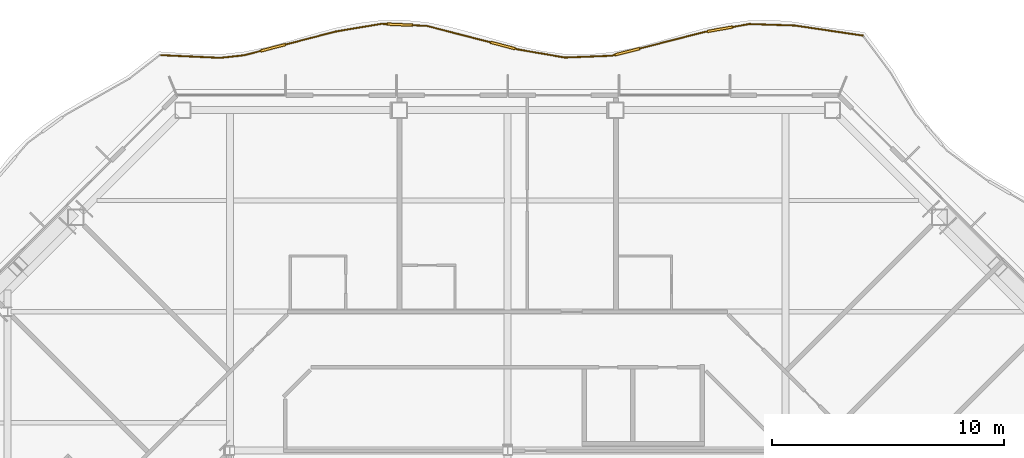
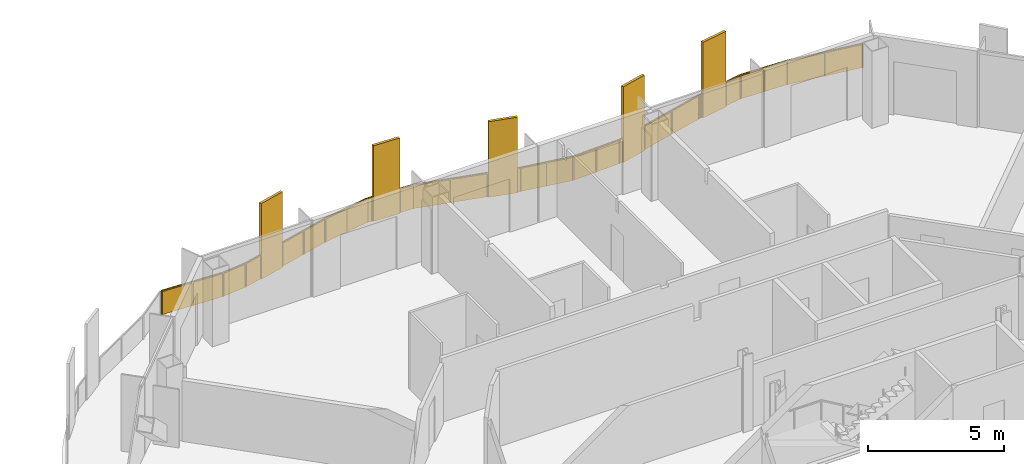
# One storey, part 21 of 22: 1 railing.
"""IFC4 building model written with IfcOpenShell, lengths in metres."""

from ifc_helpers import new_model, si_unit, direction, frame, origin, origin_2d, place, context, subcontext, project, spatial, polyline, rectangle, outline, extrude, material, type_object, element, save


model = new_model("IFC4")

# Units and contexts
model_context = context("Model", 3, precision=1e-05, world=origin(), true_north=direction((0.0, 1.0)))
body_context = subcontext(model_context, "Body", "Model", "MODEL_VIEW")
ifc_project = project(units=[si_unit("LENGTHUNIT", "METRE"), si_unit("AREAUNIT", "SQUARE_METRE"), si_unit("VOLUMEUNIT", "CUBIC_METRE"), si_unit("PLANEANGLEUNIT", "RADIAN"), si_unit("MASSUNIT", "GRAM", prefix="KILO")], contexts=[model_context])

# Site, building, storey
site_placement = place(None, origin())
site = spatial("IfcSite", under=ifc_project, at=site_placement, CompositionType="ELEMENT")
building_placement = place(site_placement, origin())
building = spatial("IfcBuilding", under=site, at=building_placement, Name="Cairn Pilgrim Tower", CompositionType="ELEMENT")
storey_placement = place(building_placement, frame((0.0, 0.0, 147.0)))
storey = spatial("IfcBuildingStorey", under=building, at=storey_placement, Name="L36", CompositionType="ELEMENT", Elevation=147.0)

# Railing
ifc_material = material(Name="Bronze anodised aluminium rail, posts and fin screens with laminated glass infill", Category="aluminium")
railing_type = type_object("IfcRailingType", Name="BALCONY GUARD WITH FIN SCREENS", PredefinedType="GUARDRAIL", material=ifc_material)
railing_placement = place(storey_placement, frame((22.53662109375, 31.12255859375, 0.0)))
element("IfcRailing", 1, at=railing_placement, inside=storey, type_object=railing_type, Name="Balcony guard BGF-5 with fin screens", PredefinedType="GUARDRAIL", context=body_context, shape_type="SweptSolid", body=[
    extrude(rectangle(XDim=0.050048828125, YDim=0.050048828125, at=origin_2d()), frame((0.0, 0.0, 1.0751953125), z_axis=(-0.989236558424, 0.146325088338, 0.0), x_axis=(-0.146325088338, -0.989236558424, 0.0)), (0.0, 0.0, 1.0), 2.96826171875),
    extrude(rectangle(XDim=0.050048828125, YDim=0.050048828125, at=origin_2d()), frame((-2.936279296875, 0.434326171875, 1.0751953125), z_axis=(-0.999460804031, 0.032834451501, 0.0), x_axis=(-0.032834451501, -0.999460804031, 0.0)), (0.0, 0.0, 1.0), 1.962890625),
    extrude(rectangle(XDim=1.10009765625, YDim=0.110107421875, at=origin_2d()), frame((-6.17431640625, 0.272705078125, 0.0), z_axis=(0.0, 0.0, 1.0), x_axis=(-0.984649045158, -0.174545861794, 0.0)), (0.0, 0.0, 1.0), 3.39990234375),
    extrude(rectangle(XDim=0.050048828125, YDim=0.050048828125, at=origin_2d()), frame((-4.898193359375, 0.498779296875, 1.0751953125), z_axis=(-0.984649045158, -0.174545861794, 0.0), x_axis=(0.174545861794, -0.984649045158, 0.0)), (0.0, 0.0, 1.0), 0.745849609375),
    extrude(rectangle(XDim=0.050048828125, YDim=0.050048828125, at=origin_2d()), frame((-6.7158203125, 0.176513671875, 1.0751953125), z_axis=(-0.984649045158, -0.174545861794, 0.0), x_axis=(0.174545861794, -0.984649045158, 0.0)), (0.0, 0.0, 1.0), 0.150146484375),
    extrude(rectangle(XDim=1.10009765625, YDim=0.110107421875, at=origin_2d()), frame((-10.167724609375, -0.696533203125, 0.0), z_axis=(0.0, 0.0, 1.0), x_axis=(-0.968686209303, -0.248288195261, 0.0)), (0.0, 0.0, 1.0), 3.39990234375),
    extrude(rectangle(XDim=0.050048828125, YDim=0.050048828125, at=origin_2d()), frame((-6.863525390625, 0.150390625, 1.0751953125), z_axis=(-0.968686209303, -0.248288195261, 0.0), x_axis=(0.248288195261, -0.968686209303, 0.0)), (0.0, 0.0, 1.0), 2.861083984375),
    extrude(rectangle(XDim=0.050048828125, YDim=0.050048828125, at=origin_2d()), frame((-10.700439453125, -0.8330078125, 1.0751953125), z_axis=(-0.968686209303, -0.248288195261, 0.0), x_axis=(0.248288195261, -0.968686209303, 0.0)), (0.0, 0.0, 1.0), 0.150146484375),
    extrude(rectangle(XDim=0.050048828125, YDim=0.050048828125, at=origin_2d()), frame((-10.845947265625, -0.870361328125, 1.0751953125), z_axis=(-0.999241942789, -0.038929934129, 0.0), x_axis=(0.038929934129, -0.999241942789, 0.0)), (0.0, 0.0, 1.0), 2.019287109375),
    extrude(rectangle(XDim=0.050048828125, YDim=0.050048828125, at=origin_2d()), frame((-12.86376953125, -0.948974609375, 1.0751953125), z_axis=(-0.985478789925, 0.169798570686, 0.0), x_axis=(-0.169798570686, -0.985478789925, 0.0)), (0.0, 0.0, 1.0), 2.037353515625),
    extrude(rectangle(XDim=1.10009765625, YDim=0.110107421875, at=origin_2d()), frame((-15.54931640625, -0.42822265625, 0.0), z_axis=(0.0, 0.0, 1.0), x_axis=(-0.968351774539, 0.249589344217, 0.0)), (0.0, 0.0, 1.0), 3.39990234375),
    extrude(rectangle(XDim=0.050048828125, YDim=0.050048828125, at=origin_2d()), frame((-14.87158203125, -0.60302734375, 1.0751953125), z_axis=(-0.968351774539, 0.249589344217, 0.0), x_axis=(-0.249589344217, -0.968351774539, 0.0)), (0.0, 0.0, 1.0), 0.14990234375),
    extrude(rectangle(XDim=0.050048828125, YDim=0.050048828125, at=origin_2d()), frame((-16.08203125, -0.291015625, 1.0751953125), z_axis=(-0.968351774539, 0.249589344217, 0.0), x_axis=(-0.249589344217, -0.968351774539, 0.0)), (0.0, 0.0, 1.0), 2.8427734375),
    extrude(rectangle(XDim=1.10009765625, YDim=0.110107421875, at=origin_2d()), frame((-19.999267578125, 0.47119140625, 0.0), z_axis=(0.0, 0.0, 1.0), x_axis=(-0.998979572056, 0.045164306867, 0.0)), (0.0, 0.0, 1.0), 3.39990234375),
    extrude(rectangle(XDim=0.050048828125, YDim=0.050048828125, at=origin_2d()), frame((-18.834716796875, 0.41845703125, 1.0751953125), z_axis=(-0.998979572056, 0.045164306867, 0.0), x_axis=(-0.045164306867, -0.998979572056, 0.0)), (0.0, 0.0, 1.0), 0.61572265625),
    extrude(rectangle(XDim=0.050048828125, YDim=0.050048828125, at=origin_2d()), frame((-20.548828125, 0.495849609375, 1.0751953125), z_axis=(-0.998979572056, 0.045164306867, 0.0), x_axis=(-0.045164306867, -0.998979572056, 0.0)), (0.0, 0.0, 1.0), 0.240966796875),
    extrude(rectangle(XDim=0.050048828125, YDim=0.050048828125, at=origin_2d()), frame((-20.78955078125, 0.5068359375, 1.0751953125), z_axis=(-0.986271055283, -0.16513450733, 0.0), x_axis=(0.16513450733, -0.986271055283, 0.0)), (0.0, 0.0, 1.0), 1.991455078125),
    extrude(rectangle(XDim=1.10009765625, YDim=0.110107421875, at=origin_2d()), frame((-25.467041015625, -0.52490234375, 0.0), z_axis=(0.0, 0.0, 1.0), x_axis=(-0.968041263917, -0.250790971437, 0.0)), (0.0, 0.0, 1.0), 3.39990234375),
    extrude(rectangle(XDim=0.050048828125, YDim=0.050048828125, at=origin_2d()), frame((-22.753662109375, 0.177978515625, 1.0751953125), z_axis=(-0.968041263917, -0.250790971437, 0.0), x_axis=(0.250790971437, -0.968041263917, 0.0)), (0.0, 0.0, 1.0), 2.2529296875),
    extrude(rectangle(XDim=0.050048828125, YDim=0.050048828125, at=origin_2d()), frame((-25.99951171875, -0.662841796875, 1.0751953125), z_axis=(-0.968041263917, -0.250790971437, 0.0), x_axis=(0.250790971437, -0.968041263917, 0.0)), (0.0, 0.0, 1.0), 0.755126953125),
    extrude(rectangle(XDim=0.050048828125, YDim=0.050048828125, at=origin_2d()), frame((-26.73046875, -0.852294921875, 1.0751953125), z_axis=(-0.994324519311, -0.106389615555, 0.0), x_axis=(0.106389615555, -0.994324519311, 0.0)), (0.0, 0.0, 1.0), 1.021240234375),
    extrude(rectangle(XDim=0.050048828125, YDim=0.050048828125, at=origin_2d()), frame((-27.745849609375, -0.9609375, 1.0751953125), z_axis=(-0.99899975378, 0.044715678996, 0.0), x_axis=(-0.044715678996, -0.99899975378, 0.0)), (0.0, 0.0, 1.0), 2.560546875),
    extrude(rectangle(XDim=0.050048828125, YDim=0.050048828125, at=origin_2d()), origin(), (0.0, 0.0, 1.0), 1.050048828125),
    extrude(rectangle(XDim=0.050048828125, YDim=0.050048828125, at=origin_2d()), frame((-1.46826171875, 0.21728515625, 0.0)), (0.0, 0.0, 1.0), 1.050048828125),
    extrude(rectangle(XDim=0.050048828125, YDim=0.050048828125, at=origin_2d()), frame((-2.936279296875, 0.434326171875, 0.0)), (0.0, 0.0, 1.0), 1.050048828125),
    extrude(rectangle(XDim=0.050048828125, YDim=0.050048828125, at=origin_2d()), frame((-3.917236328125, 0.466552734375, 0.0)), (0.0, 0.0, 1.0), 1.050048828125),
    extrude(rectangle(XDim=0.050048828125, YDim=0.050048828125, at=origin_2d()), frame((-4.898193359375, 0.498779296875, 0.0)), (0.0, 0.0, 1.0), 1.050048828125),
    extrude(rectangle(XDim=0.050048828125, YDim=0.050048828125, at=origin_2d()), frame((-5.60791015625, 0.373046875, 0.0)), (0.0, 0.0, 1.0), 1.050048828125),
    extrude(rectangle(XDim=0.050048828125, YDim=0.050048828125, at=origin_2d()), frame((-6.740478515625, 0.172119140625, 0.0)), (0.0, 0.0, 1.0), 1.050048828125),
    extrude(rectangle(XDim=0.050048828125, YDim=0.050048828125, at=origin_2d()), frame((-6.863525390625, 0.150390625, 0.0)), (0.0, 0.0, 1.0), 1.050048828125),
    extrude(rectangle(XDim=0.050048828125, YDim=0.050048828125, at=origin_2d()), frame((-8.237060546875, -0.20166015625, 0.0)), (0.0, 0.0, 1.0), 1.050048828125),
    extrude(rectangle(XDim=0.050048828125, YDim=0.050048828125, at=origin_2d()), frame((-9.61083984375, -0.5537109375, 0.0)), (0.0, 0.0, 1.0), 1.050048828125),
    extrude(rectangle(XDim=0.050048828125, YDim=0.050048828125, at=origin_2d()), frame((-10.724853515625, -0.83935546875, 0.0)), (0.0, 0.0, 1.0), 1.050048828125),
    extrude(rectangle(XDim=0.050048828125, YDim=0.050048828125, at=origin_2d()), frame((-10.845947265625, -0.870361328125, 0.0)), (0.0, 0.0, 1.0), 1.050048828125),
    extrude(rectangle(XDim=0.050048828125, YDim=0.050048828125, at=origin_2d()), frame((-11.85498046875, -0.90966796875, 0.0)), (0.0, 0.0, 1.0), 1.050048828125),
    extrude(rectangle(XDim=0.050048828125, YDim=0.050048828125, at=origin_2d()), frame((-12.86376953125, -0.948974609375, 0.0)), (0.0, 0.0, 1.0), 1.050048828125),
    extrude(rectangle(XDim=0.050048828125, YDim=0.050048828125, at=origin_2d()), frame((-13.86767578125, -0.77587890625, 0.0)), (0.0, 0.0, 1.0), 1.050048828125),
    extrude(rectangle(XDim=0.050048828125, YDim=0.050048828125, at=origin_2d()), frame((-14.87158203125, -0.60302734375, 0.0)), (0.0, 0.0, 1.0), 1.050048828125),
    extrude(rectangle(XDim=0.050048828125, YDim=0.050048828125, at=origin_2d()), frame((-14.992431640625, -0.57177734375, 0.0)), (0.0, 0.0, 1.0), 1.050048828125),
    extrude(rectangle(XDim=0.050048828125, YDim=0.050048828125, at=origin_2d()), frame((-16.106201171875, -0.284912109375, 0.0)), (0.0, 0.0, 1.0), 1.050048828125),
    extrude(rectangle(XDim=0.050048828125, YDim=0.050048828125, at=origin_2d()), frame((-17.470458984375, 0.06689453125, 0.0)), (0.0, 0.0, 1.0), 1.050048828125),
    extrude(rectangle(XDim=0.050048828125, YDim=0.050048828125, at=origin_2d()), frame((-18.834716796875, 0.41845703125, 0.0)), (0.0, 0.0, 1.0), 1.050048828125),
    extrude(rectangle(XDim=0.050048828125, YDim=0.050048828125, at=origin_2d()), frame((-19.4248046875, 0.445068359375, 0.0)), (0.0, 0.0, 1.0), 1.050048828125),
    extrude(rectangle(XDim=0.050048828125, YDim=0.050048828125, at=origin_2d()), frame((-20.57373046875, 0.4970703125, 0.0)), (0.0, 0.0, 1.0), 1.050048828125),
    extrude(rectangle(XDim=0.050048828125, YDim=0.050048828125, at=origin_2d()), frame((-20.78955078125, 0.5068359375, 0.0)), (0.0, 0.0, 1.0), 1.050048828125),
    extrude(rectangle(XDim=0.050048828125, YDim=0.050048828125, at=origin_2d()), frame((-21.771484375, 0.34228515625, 0.0)), (0.0, 0.0, 1.0), 1.050048828125),
    extrude(rectangle(XDim=0.050048828125, YDim=0.050048828125, at=origin_2d()), frame((-22.753662109375, 0.177978515625, 0.0)), (0.0, 0.0, 1.0), 1.050048828125),
    extrude(rectangle(XDim=0.050048828125, YDim=0.050048828125, at=origin_2d()), frame((-23.83203125, -0.101318359375, 0.0)), (0.0, 0.0, 1.0), 1.050048828125),
    extrude(rectangle(XDim=0.050048828125, YDim=0.050048828125, at=origin_2d()), frame((-24.910400390625, -0.380859375, 0.0)), (0.0, 0.0, 1.0), 1.050048828125),
    extrude(rectangle(XDim=0.050048828125, YDim=0.050048828125, at=origin_2d()), frame((-26.023681640625, -0.669189453125, 0.0)), (0.0, 0.0, 1.0), 1.050048828125),
    extrude(rectangle(XDim=0.050048828125, YDim=0.050048828125, at=origin_2d()), frame((-26.73046875, -0.852294921875, 0.0)), (0.0, 0.0, 1.0), 1.050048828125),
    extrude(rectangle(XDim=0.050048828125, YDim=0.050048828125, at=origin_2d()), frame((-27.745849609375, -0.9609375, 0.0)), (0.0, 0.0, 1.0), 1.050048828125),
    extrude(rectangle(XDim=0.050048828125, YDim=0.050048828125, at=origin_2d()), frame((-29.02490234375, -0.90380859375, 0.0)), (0.0, 0.0, 1.0), 1.050048828125),
    extrude(rectangle(XDim=0.050048828125, YDim=0.050048828125, at=origin_2d()), frame((-30.303955078125, -0.846435546875, 0.0)), (0.0, 0.0, 1.0), 1.050048828125),
    extrude(outline(polyline([(0.02490234375, 0.0), (1.458984375, 0.0), (1.458984375, 1.050048828125), (0.02490234375, 1.050048828125), (0.02490234375, 0.0)])), frame((-0.0009765625, -0.005859375, 0.0), z_axis=(0.146325088338, 0.989236558424, 0.0), x_axis=(-0.989236558424, 0.146325088338, 0.0)), (0.0, 0.0, 1.0), 0.011962890625),
    extrude(outline(polyline([(0.02490234375, 0.0), (1.458984375, 0.0), (1.458984375, 1.050048828125), (0.02490234375, 1.050048828125), (0.02490234375, 0.0)])), frame((-1.468994140625, 0.211181640625, 0.0), z_axis=(0.146325088338, 0.989236558424, 0.0), x_axis=(-0.989236558424, 0.146325088338, 0.0)), (0.0, 0.0, 1.0), 0.011962890625),
    extrude(outline(polyline([(0.02490234375, 0.0), (0.95654296875, 0.0), (0.95654296875, 1.050048828125), (0.02490234375, 1.050048828125), (0.02490234375, 0.0)])), frame((-2.9365234375, 0.428466796875, 0.0), z_axis=(0.032834451501, 0.999460804031, 0.0), x_axis=(-0.999460804031, 0.032834451501, 0.0)), (0.0, 0.0, 1.0), 0.011962890625),
    extrude(outline(polyline([(0.02490234375, 0.0), (0.95654296875, 0.0), (0.95654296875, 1.050048828125), (0.02490234375, 1.050048828125), (0.02490234375, 0.0)])), frame((-3.91748046875, 0.460693359375, 0.0), z_axis=(0.032834451501, 0.999460804031, 0.0), x_axis=(-0.999460804031, 0.032834451501, 0.0)), (0.0, 0.0, 1.0), 0.011962890625),
    extrude(outline(polyline([(0.02490234375, 0.0), (0.69580078125, 0.0), (0.69580078125, 1.050048828125), (0.02490234375, 1.050048828125), (0.02490234375, 0.0)])), frame((-4.897216796875, 0.492919921875, 0.0), z_axis=(-0.174545861794, 0.984649045158, 0.0), x_axis=(-0.984649045158, -0.174545861794, 0.0)), (0.0, 0.0, 1.0), 0.011962890625),
    extrude(outline(polyline([(0.02490234375, 0.0), (0.10009765625, 0.0), (0.10009765625, 1.050048828125), (0.02490234375, 1.050048828125), (0.02490234375, 0.0)])), frame((-6.7392578125, 0.166259765625, 0.0), z_axis=(-0.174545861794, 0.984649045158, 0.0), x_axis=(-0.984649045158, -0.174545861794, 0.0)), (0.0, 0.0, 1.0), 0.011962890625),
    extrude(outline(polyline([(0.02490234375, 0.0), (1.39306640625, 0.0), (1.39306640625, 1.050048828125), (0.02490234375, 1.050048828125), (0.02490234375, 0.0)])), frame((-6.862060546875, 0.14453125, 0.0), z_axis=(-0.248288195261, 0.968686209303, 0.0), x_axis=(-0.968686209303, -0.248288195261, 0.0)), (0.0, 0.0, 1.0), 0.011962890625),
    extrude(outline(polyline([(0.02490234375, 0.0), (1.39306640625, 0.0), (1.39306640625, 1.050048828125), (0.02490234375, 1.050048828125), (0.02490234375, 0.0)])), frame((-8.235595703125, -0.20751953125, 0.0), z_axis=(-0.248288195261, 0.968686209303, 0.0), x_axis=(-0.968686209303, -0.248288195261, 0.0)), (0.0, 0.0, 1.0), 0.011962890625),
    extrude(outline(polyline([(0.02490234375, 0.0), (0.10009765625, 0.0), (0.10009765625, 1.050048828125), (0.02490234375, 1.050048828125), (0.02490234375, 0.0)])), frame((-10.723388671875, -0.84521484375, 0.0), z_axis=(-0.248288195261, 0.968686209303, 0.0), x_axis=(-0.968686209303, -0.248288195261, 0.0)), (0.0, 0.0, 1.0), 0.011962890625),
    extrude(outline(polyline([(0.02490234375, 0.0), (0.984619140625, 0.0), (0.984619140625, 1.050048828125), (0.02490234375, 1.050048828125), (0.02490234375, 0.0)])), frame((-10.845703125, -0.876220703125, 0.0), z_axis=(-0.038929934129, 0.999241942789, 0.0), x_axis=(-0.999241942789, -0.038929934129, 0.0)), (0.0, 0.0, 1.0), 0.011962890625),
    extrude(outline(polyline([(0.02490234375, 0.0), (0.984619140625, 0.0), (0.984619140625, 1.050048828125), (0.02490234375, 1.050048828125), (0.02490234375, 0.0)])), frame((-11.854736328125, -0.91552734375, 0.0), z_axis=(-0.038929934129, 0.999241942789, 0.0), x_axis=(-0.999241942789, -0.038929934129, 0.0)), (0.0, 0.0, 1.0), 0.011962890625),
    extrude(outline(polyline([(0.02490234375, 0.0), (0.99365234375, 0.0), (0.99365234375, 1.050048828125), (0.02490234375, 1.050048828125), (0.02490234375, 0.0)])), frame((-12.86474609375, -0.954833984375, 0.0), z_axis=(0.169798570686, 0.985478789925, 0.0), x_axis=(-0.985478789925, 0.169798570686, 0.0)), (0.0, 0.0, 1.0), 0.011962890625),
    extrude(outline(polyline([(0.02490234375, 0.0), (0.99365234375, 0.0), (0.99365234375, 1.050048828125), (0.02490234375, 1.050048828125), (0.02490234375, 0.0)])), frame((-13.86865234375, -0.781982421875, 0.0), z_axis=(0.169798570686, 0.985478789925, 0.0), x_axis=(-0.985478789925, 0.169798570686, 0.0)), (0.0, 0.0, 1.0), 0.011962890625),
    extrude(outline(polyline([(0.02490234375, 0.0), (0.099853515625, 0.0), (0.099853515625, 1.050048828125), (0.02490234375, 1.050048828125), (0.02490234375, 0.0)])), frame((-14.873046875, -0.60888671875, 0.0), z_axis=(0.249589344217, 0.968351774539, 0.0), x_axis=(-0.968351774539, 0.249589344217, 0.0)), (0.0, 0.0, 1.0), 0.011962890625),
    extrude(outline(polyline([(0.02490234375, 0.0), (1.3837890625, 0.0), (1.3837890625, 1.050048828125), (0.02490234375, 1.050048828125), (0.02490234375, 0.0)])), frame((-16.107666015625, -0.29052734375, 0.0), z_axis=(0.249589344217, 0.968351774539, 0.0), x_axis=(-0.968351774539, 0.249589344217, 0.0)), (0.0, 0.0, 1.0), 0.011962890625),
    extrude(outline(polyline([(0.02490234375, 0.0), (1.3837890625, 0.0), (1.3837890625, 1.050048828125), (0.02490234375, 1.050048828125), (0.02490234375, 0.0)])), frame((-17.471923828125, 0.06103515625, 0.0), z_axis=(0.249589344217, 0.968351774539, 0.0), x_axis=(-0.968351774539, 0.249589344217, 0.0)), (0.0, 0.0, 1.0), 0.011962890625),
    extrude(outline(polyline([(0.02490234375, 0.0), (0.565673828125, 0.0), (0.565673828125, 1.050048828125), (0.02490234375, 1.050048828125), (0.02490234375, 0.0)])), frame((-18.8349609375, 0.41259765625, 0.0), z_axis=(0.045164306867, 0.998979572056, 0.0), x_axis=(-0.998979572056, 0.045164306867, 0.0)), (0.0, 0.0, 1.0), 0.011962890625),
    extrude(outline(polyline([(0.02490234375, 0.0), (0.19091796875, 0.0), (0.19091796875, 1.050048828125), (0.02490234375, 1.050048828125), (0.02490234375, 0.0)])), frame((-20.573974609375, 0.4912109375, 0.0), z_axis=(0.045164306867, 0.998979572056, 0.0), x_axis=(-0.998979572056, 0.045164306867, 0.0)), (0.0, 0.0, 1.0), 0.011962890625),
    extrude(outline(polyline([(0.02490234375, 0.0), (0.970703125, 0.0), (0.970703125, 1.050048828125), (0.02490234375, 1.050048828125), (0.02490234375, 0.0)])), frame((-20.78857421875, 0.5009765625, 0.0), z_axis=(-0.16513450733, 0.986271055283, 0.0), x_axis=(-0.986271055283, -0.16513450733, 0.0)), (0.0, 0.0, 1.0), 0.011962890625),
    extrude(outline(polyline([(0.02490234375, 0.0), (0.970703125, 0.0), (0.970703125, 1.050048828125), (0.02490234375, 1.050048828125), (0.02490234375, 0.0)])), frame((-21.7705078125, 0.33642578125, 0.0), z_axis=(-0.16513450733, 0.986271055283, 0.0), x_axis=(-0.986271055283, -0.16513450733, 0.0)), (0.0, 0.0, 1.0), 0.011962890625),
    extrude(outline(polyline([(0.02490234375, 0.0), (1.0888671875, 0.0), (1.0888671875, 1.050048828125), (0.02490234375, 1.050048828125), (0.02490234375, 0.0)])), frame((-22.752197265625, 0.172119140625, 0.0), z_axis=(-0.250790971437, 0.968041263917, 0.0), x_axis=(-0.968041263917, -0.250790971437, 0.0)), (0.0, 0.0, 1.0), 0.011962890625),
    extrude(outline(polyline([(0.02490234375, 0.0), (1.0888671875, 0.0), (1.0888671875, 1.050048828125), (0.02490234375, 1.050048828125), (0.02490234375, 0.0)])), frame((-23.83056640625, -0.107177734375, 0.0), z_axis=(-0.250790971437, 0.968041263917, 0.0), x_axis=(-0.968041263917, -0.250790971437, 0.0)), (0.0, 0.0, 1.0), 0.011962890625),
    extrude(outline(polyline([(0.02490234375, 0.0), (0.705078125, 0.0), (0.705078125, 1.050048828125), (0.02490234375, 1.050048828125), (0.02490234375, 0.0)])), frame((-26.022216796875, -0.675048828125, 0.0), z_axis=(-0.250790971437, 0.968041263917, 0.0), x_axis=(-0.968041263917, -0.250790971437, 0.0)), (0.0, 0.0, 1.0), 0.011962890625),
    extrude(outline(polyline([(0.02490234375, 0.0), (0.99609375, 0.0), (0.99609375, 1.050048828125), (0.02490234375, 1.050048828125), (0.02490234375, 0.0)])), frame((-26.729736328125, -0.858154296875, 0.0), z_axis=(-0.106389615555, 0.994324519311, 0.0), x_axis=(-0.994324519311, -0.106389615555, 0.0)), (0.0, 0.0, 1.0), 0.011962890625),
    extrude(outline(polyline([(0.02490234375, 0.0), (1.25537109375, 0.0), (1.25537109375, 1.050048828125), (0.02490234375, 1.050048828125), (0.02490234375, 0.0)])), frame((-27.74609375, -0.966796875, 0.0), z_axis=(0.044715678996, 0.99899975378, 0.0), x_axis=(-0.99899975378, 0.044715678996, 0.0)), (0.0, 0.0, 1.0), 0.011962890625),
    extrude(outline(polyline([(0.02490234375, 0.0), (1.25537109375, 0.0), (1.25537109375, 1.050048828125), (0.02490234375, 1.050048828125), (0.02490234375, 0.0)])), frame((-29.025146484375, -0.90966796875, 0.0), z_axis=(0.044715678996, 0.99899975378, 0.0), x_axis=(-0.99899975378, 0.044715678996, 0.0)), (0.0, 0.0, 1.0), 0.011962890625),
])

save(model, "model.ifc")
